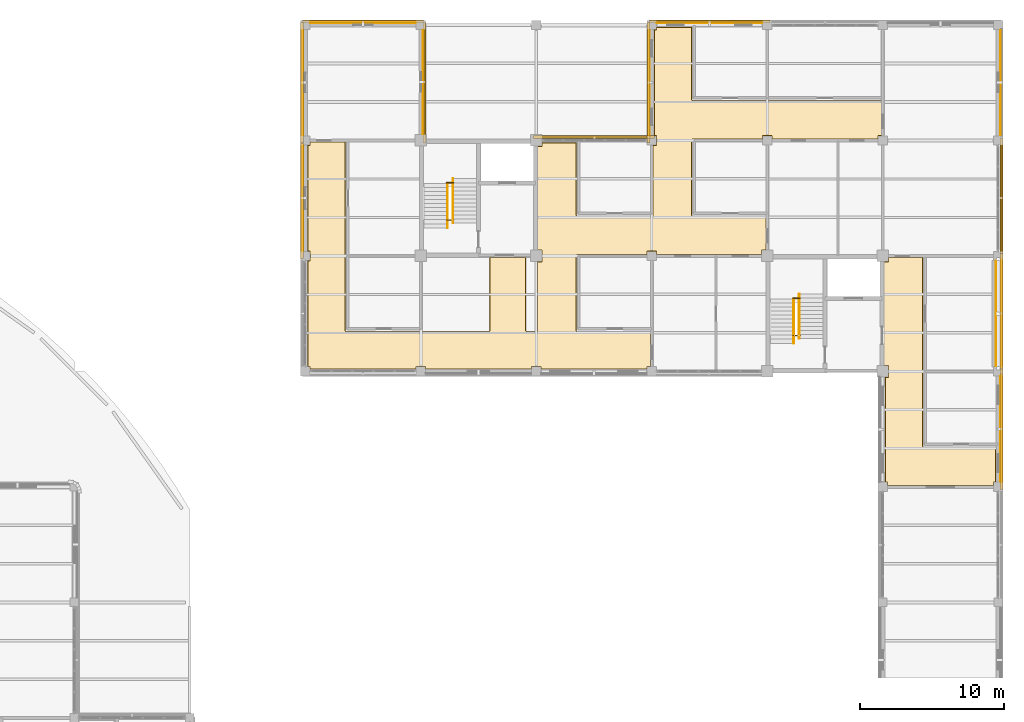
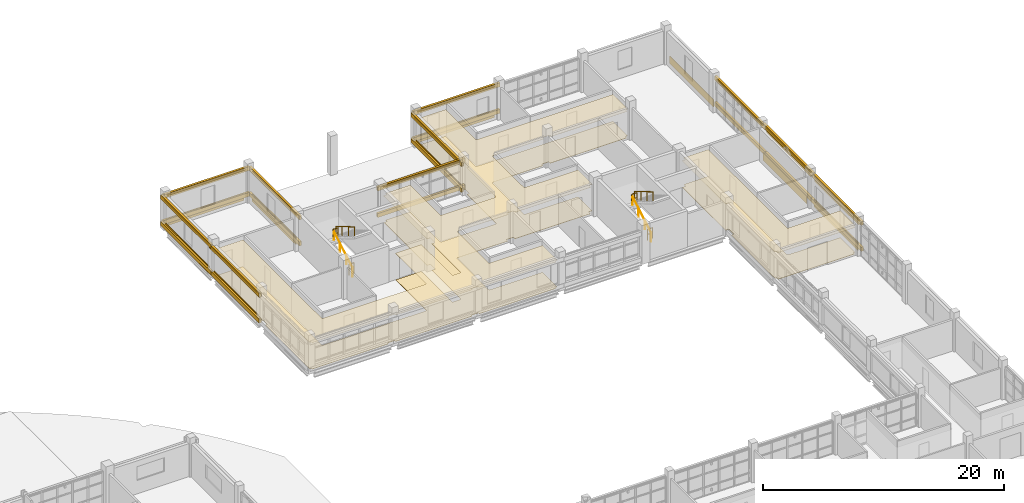
# One storey, part 124 of 126: 33 coverings, 12 shading devices, 8 railings.
"""IFC4 building model written with IfcOpenShell, lengths in metres."""

import ifcopenshell
import ifcopenshell.guid

model = None  # the IFC model being written
_history = None  # IfcOwnerHistory: only IFC2X3 demands one
_inside = {}  # id of a spatial element -> (the spatial element, [elements in it])
_under = {}  # id of a project, library or spatial element -> (it, [spatial elements below it])
_declared = {}  # id of a project -> (the project, [libraries it declares])
_typed = {}  # id of a type object -> (the type object, [elements of that type])
_made_of = {}  # id of a material, layer set ... -> (it, [elements and type objects made of it])


def new_model(schema):
    """Start an empty IFC model of exactly this schema.

    Asked for "IFC4X3", IfcOpenShell would pick the latest addendum, in which some entities
    have other attributes; the version numbers below select the first issue.
    IFC2X3 requires an IfcOwnerHistory on every rooted entity: one is made here for all.
    """
    global model, _history
    if schema == "IFC4X3":
        model = ifcopenshell.file(schema_version=(4, 3, 0, 0))
    else:
        model = ifcopenshell.file(schema=schema)
    _inside.clear()
    _under.clear()
    _declared.clear()
    _typed.clear()
    _made_of.clear()
    _history = None
    if model.schema == "IFC2X3":
        org = make("IfcOrganization", Name="unknown")
        user = make(
            "IfcPersonAndOrganization",
            ThePerson=make("IfcPerson", FamilyName="unknown"),
            TheOrganization=org,
        )
        app = make(
            "IfcApplication",
            ApplicationDeveloper=org,
            Version="unknown",
            ApplicationFullName="unknown",
            ApplicationIdentifier="unknown",
        )
        _history = make(
            "IfcOwnerHistory",
            OwningUser=user,
            OwningApplication=app,
            ChangeAction="ADDED",
            CreationDate=0,
        )
    return model


def make(cls, **values):
    """One entity of the class cls with the attributes given. An attribute that is None is left unset."""
    return model.create_entity(
        cls, **{name: value for name, value in values.items() if value is not None}
    )


def rooted(cls, **values):
    """An entity with a GlobalId (a new one), such as an element, a storey or a relation."""
    return make(cls, GlobalId=ifcopenshell.guid.new(), OwnerHistory=_history, **values)


def si_unit(unit_type, name, prefix=None):
    """IfcSIUnit, for example si_unit("LENGTHUNIT", "METRE", prefix="MILLI")."""
    return make("IfcSIUnit", UnitType=unit_type, Prefix=prefix, Name=name)


def derived_unit(unit_type, elements):
    """IfcDerivedUnit: a product of units, each with its exponent."""
    return make(
        "IfcDerivedUnit",
        Elements=[
            make("IfcDerivedUnitElement", Unit=unit, Exponent=power)
            for unit, power in elements
        ],
        UnitType=unit_type,
    )


def assignment(units):
    """IfcUnitAssignment: the units of a project."""
    return None if units is None else make("IfcUnitAssignment", Units=units)


def point(xyz):
    """IfcCartesianPoint."""
    return None if xyz is None else make("IfcCartesianPoint", Coordinates=xyz)


def direction(xyz):
    """IfcDirection."""
    return None if xyz is None else make("IfcDirection", DirectionRatios=xyz)


def frame(location, z_axis=None, x_axis=None):
    """IfcAxis2Placement3D, a coordinate frame: its origin and axes. An axis left out is left unset."""
    return make(
        "IfcAxis2Placement3D",
        Location=point(location),
        Axis=direction(z_axis),
        RefDirection=direction(x_axis),
    )


def frame_2d(location, x_axis=None):
    """IfcAxis2Placement2D, a coordinate frame in the plane: its origin and x axis."""
    return make(
        "IfcAxis2Placement2D", Location=point(location), RefDirection=direction(x_axis)
    )


def origin():
    """The frame at (0, 0, 0) with its axes left unset."""
    return frame((0.0, 0.0, 0.0))


def origin_2d():
    """The frame at (0, 0) in the plane with its x axis left unset."""
    return frame_2d((0.0, 0.0))


def place(relative_to, where):
    """IfcLocalPlacement: puts the frame where relative to a parent placement (None: the world)."""
    return make(
        "IfcLocalPlacement", PlacementRelTo=relative_to, RelativePlacement=where
    )


def context(
    kind, dimensions, precision=None, world=None, true_north=None, identifier=None
):
    """IfcGeometricRepresentationContext, for example the 3D "Model" context."""
    return make(
        "IfcGeometricRepresentationContext",
        ContextIdentifier=identifier,
        ContextType=kind,
        CoordinateSpaceDimension=dimensions,
        Precision=precision,
        WorldCoordinateSystem=world,
        TrueNorth=true_north,
    )


def subcontext(parent, identifier, kind, view, scale=None):
    """IfcGeometricRepresentationSubContext, for example "Body" below "Model"."""
    return make(
        "IfcGeometricRepresentationSubContext",
        ContextIdentifier=identifier,
        ContextType=kind,
        ParentContext=parent,
        TargetScale=scale,
        TargetView=view,
    )


def project(units=None, contexts=None):
    """IfcProject with its units and contexts."""
    return rooted(
        "IfcProject",
        Name="project",
        RepresentationContexts=contexts,
        UnitsInContext=assignment(units),
    )


def spatial(cls, under=None, at=None, **own):
    """A site, building, storey or space (cls), placed at a placement, below another one or the project."""
    s = rooted(cls, ObjectPlacement=at, **own)
    if under is not None:
        _under.setdefault(under.id(), (under, []))[1].append(s)
    return s


def polyline(points):
    """IfcPolyline through the points."""
    return make("IfcPolyline", Points=[point(p) for p in points])


def profile(cls, at=None, kind="AREA", **sizes):
    """A parametric profile (cls). Its sizes go by their IFC names, for example OverallWidth=200.0."""
    return make(cls, ProfileType=kind, Position=at, **sizes)


def rectangle(**sizes):
    """IfcRectangleProfileDef."""
    return profile("IfcRectangleProfileDef", **sizes)


def circle(**sizes):
    """IfcCircleProfileDef."""
    return profile("IfcCircleProfileDef", **sizes)


def outline(outer, holes=None, kind="AREA"):
    """IfcArbitraryClosedProfileDef: a profile drawn as a closed curve; with holes, ...WithVoids."""
    if holes is None:
        return make("IfcArbitraryClosedProfileDef", ProfileType=kind, OuterCurve=outer)
    return make(
        "IfcArbitraryProfileDefWithVoids",
        ProfileType=kind,
        OuterCurve=outer,
        InnerCurves=holes,
    )


def extrude(swept, where, along, depth):
    """IfcExtrudedAreaSolid: the profile swept, set in the frame where, extruded along a direction by depth."""
    return make(
        "IfcExtrudedAreaSolid",
        SweptArea=swept,
        Position=where,
        ExtrudedDirection=direction(along),
        Depth=depth,
    )


def shape(context_of_items, identifier, shape_type, items):
    """IfcShapeRepresentation: the items that make up one representation, for example the "Body"."""
    return make(
        "IfcShapeRepresentation",
        ContextOfItems=context_of_items,
        RepresentationIdentifier=identifier,
        RepresentationType=shape_type,
        Items=items,
    )


def material(Name=None, Category=None):
    """IfcMaterial."""
    return make("IfcMaterial", Name=Name, Category=Category)


def layer(
    of_material, thickness, ventilated=None, Name=None, Category=None, Priority=None
):
    """IfcMaterialLayer: one layer of a wall or slab, of a material (None: an air gap)."""
    return make(
        "IfcMaterialLayer",
        Material=of_material,
        LayerThickness=thickness,
        IsVentilated=ventilated,
        Name=Name,
        Category=Category,
        Priority=Priority,
    )


def layer_set(layers, Name=None):
    """IfcMaterialLayerSet."""
    return make("IfcMaterialLayerSet", MaterialLayers=layers, LayerSetName=Name)


def material_profile(
    of_material, cross_section, Name=None, Category=None, Priority=None
):
    """IfcMaterialProfile: a cross section and its material."""
    return make(
        "IfcMaterialProfile",
        Name=Name,
        Material=of_material,
        Profile=cross_section,
        Priority=Priority,
        Category=Category,
    )


def profile_set(profiles, Name=None, composite=None):
    """IfcMaterialProfileSet."""
    return make(
        "IfcMaterialProfileSet",
        Name=Name,
        MaterialProfiles=profiles,
        CompositeProfile=composite,
    )


def made_of(thing, what):
    """Note that an element or type object is made of a material, layer set ...; save() writes the relation."""
    if what is not None:
        _made_of.setdefault(what.id(), (what, []))[1].append(thing)
    return thing


def type_object(cls, material=None, **own):
    """A type object (cls), such as IfcWallType, which elements share."""
    return made_of(rooted(cls, **own), material)


def element(
    cls,
    number,
    at=None,
    inside=None,
    cuts=None,
    type_object=None,
    material=None,
    context=None,
    identifier="Body",
    shape_type=None,
    held_by="IfcProductDefinitionShape",
    body=None,
    shapes=None,
    **own,
):
    """One element of the class cls, such as IfcWall. Its Tag is "e" and its number.

    at: its placement. inside: the storey or other place that contains it. cuts: it is an
    opening in that element (IfcRelVoidsElement). A single representation is given by context,
    identifier, shape_type and body (its items); several are given by shapes. held_by: the class
    of the entity that holds the representations. save() writes the other relations.
    """
    e = rooted(cls, Tag="e%d" % number, ObjectPlacement=at, **own)
    if body is not None:
        shapes = [shape(context, identifier, shape_type, body)]
    if shapes is not None:
        e.Representation = make(held_by, Representations=shapes)
    if inside is not None:
        _inside.setdefault(inside.id(), (inside, []))[1].append(e)
    if cuts is not None:
        rooted(
            "IfcRelVoidsElement", RelatingBuildingElement=cuts, RelatedOpeningElement=e
        )
    if type_object is not None:
        _typed.setdefault(type_object.id(), (type_object, []))[1].append(e)
    return made_of(e, material)


def aggregate(whole, parts):
    """IfcRelAggregates: a whole, such as a stair, and the parts it consists of."""
    return rooted("IfcRelAggregates", RelatingObject=whole, RelatedObjects=parts)


def save(model, path):
    """Write the relations noted so far, then the file.

    IfcRelAggregates (storeys below a building ...), IfcRelContainedInSpatialStructure (elements
    in a storey), IfcRelDefinesByType, IfcRelAssociatesMaterial and IfcRelDeclares: one each for
    every whole, place, type object, material and project.
    """
    for whole, parts in _under.values():
        aggregate(whole, parts)
    for where, things in _inside.values():
        rooted(
            "IfcRelContainedInSpatialStructure",
            RelatedElements=things,
            RelatingStructure=where,
        )
    for kind, things in _typed.values():
        rooted("IfcRelDefinesByType", RelatedObjects=things, RelatingType=kind)
    for what, things in _made_of.values():
        rooted("IfcRelAssociatesMaterial", RelatedObjects=things, RelatingMaterial=what)
    for by, libraries in _declared.values():
        rooted("IfcRelDeclares", RelatingContext=by, RelatedDefinitions=libraries)
    model.write(path)


model = new_model("IFC4")

# Units and contexts
model_context = context("Model", 3, precision=1e-05, world=origin(), true_north=direction((0.0, 1.0)))
body_context = subcontext(model_context, "Body", "Model", "MODEL_VIEW")
ifc_project = project(units=[si_unit("LENGTHUNIT", "METRE"), si_unit("AREAUNIT", "SQUARE_METRE"), si_unit("VOLUMEUNIT", "CUBIC_METRE"), si_unit("PLANEANGLEUNIT", "RADIAN"), si_unit("MASSUNIT", "GRAM", prefix="KILO"), derived_unit("THERMALTRANSMITTANCEUNIT", [(si_unit("MASSUNIT", "GRAM", prefix="KILO"), 1), (si_unit("TIMEUNIT", "SECOND"), -3), (si_unit("THERMODYNAMICTEMPERATUREUNIT", "KELVIN"), -1)])], contexts=[model_context])

# Site, building, storey
site_placement = place(None, origin())
site = spatial("IfcSite", under=ifc_project, at=site_placement, CompositionType="ELEMENT")
building_placement = place(site_placement, origin())
building = spatial("IfcBuilding", under=site, at=building_placement, Name="Veyamyaing Civic Hall", CompositionType="ELEMENT")
storey_placement = place(building_placement, frame((0.0, 0.0, 9.89990234375)))
storey = spatial("IfcBuildingStorey", under=building, at=storey_placement, Name="L02", CompositionType="ELEMENT", Elevation=9.89990234375)

# Coverings
ifc_material_1 = material(Name="Buff sandstone ashlar cladding", Category="masonry")
ifc_layer_1 = layer(ifc_material_1, 0.050048828125, Name="Buff sandstone ashlar cladding")
ifc_layer_set_1 = layer_set([ifc_layer_1], Name="Buff sandstone ashlar cladding")
covering_type_1 = type_object("IfcCoveringType", Name="CL-01", PredefinedType="CLADDING", material=ifc_layer_set_1)
for number, where, z_axis, x_axis, name in (
    (1, (132.0, 112.160888671875, 0.045166015625), (0.0, 0.0, 1.0), (1.0, 0.0, 0.0), "Facade spandrel cladding CL-01 L02 N 17.14"),
    (2, (127.839111328125, 108.0, 0.045166015625), (0.0, 0.0, 1.0), (0.0, 1.0, 0.0), "Facade spandrel cladding CL-01 L02 W 17.14"),
):
    element("IfcCovering", number, at=place(storey_placement, frame(where, z_axis=z_axis, x_axis=x_axis)), inside=storey, type_object=covering_type_1, Name=name, PredefinedType="CLADDING", context=body_context, shape_type="SweptSolid", body=[
        extrude(rectangle(XDim=7.300048828125, YDim=0.050048828125, at=origin_2d()), origin(), (0.0, 0.0, 1.0), 0.75),
    ])
covering_1_placement = place(storey_placement, frame((136.160888671875, 108.03759765625, 0.045166015625), z_axis=(0.0, 0.0, 1.0), x_axis=(0.0, 1.0, 0.0)))
element("IfcCovering", 3, at=covering_1_placement, inside=storey, type_object=covering_type_1, Name="Facade spandrel cladding CL-01 L02 E 17.14", PredefinedType="CLADDING", context=body_context, shape_type="SweptSolid", body=[
    extrude(rectangle(XDim=7.22509765625, YDim=0.050048828125, at=origin_2d()), origin(), (0.0, 0.0, 1.0), 0.75),
])
covering_2_placement = place(storey_placement, frame((176.160888671875, 84.0, 0.045166015625), z_axis=(0.0, 0.0, 1.0), x_axis=(0.0, 1.0, 0.0)))
element("IfcCovering", 4, at=covering_2_placement, inside=storey, type_object=covering_type_1, Name="Facade spandrel cladding CL-01 L02 E 22.11", PredefinedType="CLADDING", context=body_context, shape_type="SweptSolid", body=[
    extrude(rectangle(XDim=7.300048828125, YDim=0.050048828125, at=origin_2d()), origin(), (0.0, 0.0, 1.0), 0.75),
])
ifc_material_2 = material(Name="Turquoise glazed ceramic tile cladding", Category="masonry")
ifc_layer_2 = layer(ifc_material_2, 0.034912109375, Name="Turquoise glazed ceramic tile cladding")
ifc_layer_set_2 = layer_set([ifc_layer_2], Name="Turquoise glazed ceramic tile cladding")
covering_type_2 = type_object("IfcCoveringType", Name="CL-02", PredefinedType="CLADDING", material=ifc_layer_set_2)
for number, where, z_axis, x_axis, name in (
    (5, (127.846435546875, 100.0, 0.045166015625), (0.0, 0.0, 1.0), (0.0, 1.0, 0.0), "Facade spandrel cladding CL-02 L02 W 17.13"),
    (6, (156.0, 112.153564453125, 0.045166015625), (0.0, 0.0, 1.0), (1.0, 0.0, 0.0), "Facade spandrel cladding CL-02 L02 N 20.14"),
    (7, (151.846435546875, 108.0, 0.045166015625), (0.0, 0.0, 1.0), (0.0, 1.0, 0.0), "Facade spandrel cladding CL-02 L02 W 20.14"),
    (8, (175.853515625, 92.0, 0.045166015625), (0.0, 0.0, 1.0), (0.0, 1.0, 0.0), "Facade spandrel cladding CL-02 L02 E 22.12"),
    (9, (176.153564453125, 108.0, 0.045166015625), (0.0, 0.0, 1.0), (0.0, 1.0, 0.0), "Facade spandrel cladding CL-02 L02 E 22.14"),
):
    element("IfcCovering", number, at=place(storey_placement, frame(where, z_axis=z_axis, x_axis=x_axis)), inside=storey, type_object=covering_type_2, Name=name, PredefinedType="CLADDING", context=body_context, shape_type="SweptSolid", body=[
        extrude(rectangle(XDim=7.300048828125, YDim=0.034912109375, at=origin_2d()), origin(), (0.0, 0.0, 1.0), 0.75),
    ])
ifc_material_3 = material(Name="White powder-coated aluminium 6063-T6", Category="aluminium")
ifc_layer_3 = layer(ifc_material_3, 0.2099609375, Name="White powder-coated aluminium 6063-T6")
ifc_layer_set_3 = layer_set([ifc_layer_3], Name="White powder-coated aluminium 6063-T6")
covering_type_3 = type_object("IfcCoveringType", Name="CL-03", PredefinedType="CLADDING", material=ifc_layer_set_3)
for number, where, z_axis, x_axis, name in (
    (10, (127.760009765625, 100.0, 2.904052734375), (0.0, 0.0, 1.0), (0.0, 1.0, 0.0), "Continuous white head fascia ribbon CL-03 L02 W 17.13"),
    (11, (127.760009765625, 100.0, 0.280029296875), (0.0, 0.0, 1.0), (0.0, 1.0, 0.0), "Continuous white sill fascia ribbon CL-03 L02 W 17.13"),
    (12, (132.0, 112.239990234375, 2.900146484375), (0.0, 0.0, 1.0), (1.0, 0.0, 0.0), "Continuous white head fascia ribbon CL-03 L02 N 17.14"),
    (13, (132.0, 112.239990234375, 0.280029296875), (0.0, 0.0, 1.0), (1.0, 0.0, 0.0), "Continuous white sill fascia ribbon CL-03 L02 N 17.14"),
    (14, (127.760009765625, 108.0, 2.967041015625), (0.0, 0.0, 1.0), (0.0, 1.0, 0.0), "Continuous white head fascia ribbon CL-03 L02 W 17.14"),
    (15, (127.760009765625, 108.0, 0.280029296875), (0.0, 0.0, 1.0), (0.0, 1.0, 0.0), "Continuous white sill fascia ribbon CL-03 L02 W 17.14"),
    (16, (136.239990234375, 108.0, 2.900146484375), (0.0, 0.0, 1.0), (0.0, 1.0, 0.0), "Continuous white head fascia ribbon CL-03 L02 E 17.14"),
    (17, (136.239990234375, 108.0, 0.280029296875), (0.0, 0.0, 1.0), (0.0, 1.0, 0.0), "Continuous white sill fascia ribbon CL-03 L02 E 17.14"),
    (18, (148.0, 104.239990234375, 2.964111328125), (0.0, 0.0, 1.0), (1.0, 0.0, 0.0), "Continuous white head fascia ribbon CL-03 L02 N 19.13"),
    (19, (148.0, 104.239990234375, 0.280029296875), (0.0, 0.0, 1.0), (1.0, 0.0, 0.0), "Continuous white sill fascia ribbon CL-03 L02 N 19.13"),
    (20, (156.0, 112.239990234375, 2.967041015625), (0.0, 0.0, 1.0), (1.0, 0.0, 0.0), "Continuous white head fascia ribbon CL-03 L02 N 20.14"),
    (21, (156.0, 112.239990234375, 0.280029296875), (0.0, 0.0, 1.0), (1.0, 0.0, 0.0), "Continuous white sill fascia ribbon CL-03 L02 N 20.14"),
    (22, (151.760009765625, 108.0, 2.904052734375), (0.0, 0.0, 1.0), (0.0, 1.0, 0.0), "Continuous white head fascia ribbon CL-03 L02 W 20.14"),
    (23, (151.760009765625, 108.0, 0.280029296875), (0.0, 0.0, 1.0), (0.0, 1.0, 0.0), "Continuous white sill fascia ribbon CL-03 L02 W 20.14"),
    (24, (176.239990234375, 84.0, 2.904052734375), (0.0, 0.0, 1.0), (0.0, 1.0, 0.0), "Continuous white head fascia ribbon CL-03 L02 E 22.11"),
    (25, (176.239990234375, 84.0, 0.280029296875), (0.0, 0.0, 1.0), (0.0, 1.0, 0.0), "Continuous white sill fascia ribbon CL-03 L02 E 22.11"),
    (26, (176.239990234375, 92.0, 2.967041015625), (0.0, 0.0, 1.0), (0.0, 1.0, 0.0), "Continuous white head fascia ribbon CL-03 L02 E 22.12"),
    (27, (176.239990234375, 92.0, 0.280029296875), (0.0, 0.0, 1.0), (0.0, 1.0, 0.0), "Continuous white sill fascia ribbon CL-03 L02 E 22.12"),
    (28, (176.239990234375, 100.0, 2.900146484375), (0.0, 0.0, 1.0), (0.0, 1.0, 0.0), "Continuous white head fascia ribbon CL-03 L02 E 22.13"),
    (29, (176.239990234375, 100.0, 0.280029296875), (0.0, 0.0, 1.0), (0.0, 1.0, 0.0), "Continuous white sill fascia ribbon CL-03 L02 E 22.13"),
):
    element("IfcCovering", number, at=place(storey_placement, frame(where, z_axis=z_axis, x_axis=x_axis)), inside=storey, type_object=covering_type_3, Name=name, PredefinedType="CLADDING", context=body_context, shape_type="SweptSolid", body=[
        extrude(rectangle(XDim=8.360107421875, YDim=0.2099609375, at=origin_2d()), origin(), (0.0, 0.0, 1.0), 0.39990234375),
    ])
ifc_material_4 = material(Name="Perforated acoustic gypsum ceiling board")
ifc_layer_4 = layer(ifc_material_4, 0.02490234375, Name="Perforated acoustic gypsum ceiling board")
ifc_layer_set_4 = layer_set([ifc_layer_4], Name="Perforated acoustic gypsum ceiling board")
covering_type_4 = type_object("IfcCoveringType", Name="CLG-01", PredefinedType="CEILING", material=ifc_layer_set_4)
covering_3_placement = place(storey_placement, frame((0.0, 0.0, 2.7001953125)))
element("IfcCovering", 30, at=covering_3_placement, inside=storey, type_object=covering_type_4, Name="Acoustic suspended ceiling CLG-01 L02-C07", PredefinedType="CEILING", context=body_context, shape_type="SweptSolid", body=[
    extrude(outline(polyline([(130.7841796875, 90.81494140625), (130.802734375, 90.79248046875), (130.8291015625, 90.7783203125), (130.851806640625, 90.77490234375), (140.697509765625, 90.77490234375), (140.729248046875, 90.78125), (140.747314453125, 90.792236328125), (140.76220703125, 90.80859375), (140.771484375, 90.828369140625), (140.77490234375, 90.851806640625), (140.77490234375, 95.925048828125), (143.27490234375, 95.925048828125), (143.27685546875, 90.8349609375), (143.283935546875, 90.8154296875), (143.30322265625, 90.7919921875), (143.3212890625, 90.781005859375), (143.34326171875, 90.775390625), (143.99755859375, 90.77490234375), (144.028564453125, 90.78125), (144.052734375, 90.79736328125), (144.06884765625, 90.821533203125), (144.074951171875, 90.8525390625), (144.074951171875, 95.614990234375), (144.385009765625, 95.614990234375), (144.385009765625, 96.385009765625), (144.074951171875, 96.385009765625), (144.074951171875, 103.614990234375), (144.385009765625, 103.614990234375), (144.385009765625, 103.844970703125), (146.77490234375, 103.844970703125), (146.77490234375, 98.851318359375), (146.776611328125, 98.8359375), (146.7841796875, 98.814208984375), (146.791748046875, 98.802978515625), (146.80859375, 98.787841796875), (146.828369140625, 98.778564453125), (146.851806640625, 98.77490234375), (151.99755859375, 98.77490234375), (152.028564453125, 98.78125), (152.052734375, 98.79736328125), (152.06884765625, 98.821533203125), (152.074951171875, 98.8525390625), (152.074951171875, 103.68994140625), (152.31005859375, 103.68994140625), (152.31005859375, 104.31005859375), (152.155029296875, 104.31005859375), (152.155029296875, 111.68994140625), (152.31005859375, 111.68994140625), (152.31005859375, 111.844970703125), (154.77490234375, 111.844970703125), (154.77490234375, 106.851806640625), (154.778564453125, 106.828369140625), (154.78759765625, 106.80908203125), (154.80908203125, 106.78759765625), (154.828369140625, 106.778564453125), (154.851806640625, 106.77490234375), (167.925048828125, 106.77490234375), (167.925048828125, 104.31005859375), (167.68994140625, 104.31005859375), (167.68994140625, 104.074951171875), (160.31005859375, 104.074951171875), (160.31005859375, 104.31005859375), (159.68994140625, 104.31005859375), (159.68994140625, 104.074951171875), (154.851806640625, 104.074951171875), (154.82763671875, 104.0712890625), (154.81591796875, 104.06640625), (154.79248046875, 104.047119140625), (154.7783203125, 104.02099609375), (154.77490234375, 103.998291015625), (154.77490234375, 98.851806640625), (154.778564453125, 98.828369140625), (154.787841796875, 98.80859375), (154.802978515625, 98.791748046875), (154.814697265625, 98.783935546875), (154.82763671875, 98.778564453125), (154.851806640625, 98.77490234375), (159.925048828125, 98.77490234375), (159.925048828125, 96.385009765625), (159.614990234375, 96.385009765625), (159.614990234375, 96.074951171875), (152.31005859375, 96.074951171875), (152.31005859375, 96.31005859375), (151.68994140625, 96.31005859375), (151.68994140625, 96.074951171875), (146.851806640625, 96.074951171875), (146.82763671875, 96.0712890625), (146.81591796875, 96.06640625), (146.79248046875, 96.047119140625), (146.7783203125, 96.02099609375), (146.77490234375, 95.998291015625), (146.77490234375, 90.851806640625), (146.778564453125, 90.828369140625), (146.787841796875, 90.80859375), (146.802978515625, 90.791748046875), (146.814697265625, 90.783935546875), (146.82763671875, 90.778564453125), (146.851806640625, 90.77490234375), (151.925048828125, 90.77490234375), (151.925048828125, 88.31005859375), (151.68994140625, 88.31005859375), (151.68994140625, 88.155029296875), (144.31005859375, 88.155029296875), (144.31005859375, 88.31005859375), (143.68994140625, 88.31005859375), (143.68994140625, 88.155029296875), (136.31005859375, 88.155029296875), (136.31005859375, 88.31005859375), (135.68994140625, 88.31005859375), (135.68994140625, 88.155029296875), (128.31005859375, 88.155029296875), (128.31005859375, 88.31005859375), (128.155029296875, 88.31005859375), (128.155029296875, 95.68994140625), (128.31005859375, 95.68994140625), (128.31005859375, 96.31005859375), (128.155029296875, 96.31005859375), (128.155029296875, 103.68994140625), (128.31005859375, 103.68994140625), (128.31005859375, 103.925048828125), (130.77490234375, 103.925048828125), (130.775390625, 90.843994140625), (130.7841796875, 90.81494140625)])), origin(), (0.0, 0.0, 1.0), 0.02490234375),
])
covering_4_placement = place(storey_placement, frame((0.0, 0.0, 2.7001953125)))
element("IfcCovering", 31, at=covering_4_placement, inside=storey, type_object=covering_type_4, Name="Acoustic suspended ceiling CLG-01 L02-C08", PredefinedType="CEILING", context=body_context, shape_type="SweptSolid", body=[
    extrude(outline(polyline([(170.7841796875, 82.81494140625), (170.802734375, 82.79248046875), (170.8291015625, 82.7783203125), (170.851806640625, 82.77490234375), (175.844970703125, 82.77490234375), (175.844970703125, 80.31005859375), (175.68994140625, 80.31005859375), (175.68994140625, 80.074951171875), (168.31005859375, 80.074951171875), (168.31005859375, 80.31005859375), (168.155029296875, 80.31005859375), (168.155029296875, 87.614990234375), (168.385009765625, 87.614990234375), (168.385009765625, 88.385009765625), (168.074951171875, 88.385009765625), (168.074951171875, 95.614990234375), (168.385009765625, 95.614990234375), (168.385009765625, 95.925048828125), (170.77490234375, 95.925048828125), (170.775390625, 82.843994140625), (170.7841796875, 82.81494140625)])), origin(), (0.0, 0.0, 1.0), 0.02490234375),
])
ifc_material_5 = material(Name="Polished Mandalay marble and terrazzo flooring", Category="masonry")
ifc_layer_5 = layer(ifc_material_5, 0.030029296875, Name="Polished Mandalay marble and terrazzo flooring")
ifc_layer_set_5 = layer_set([ifc_layer_5], Name="Polished Mandalay marble and terrazzo flooring")
covering_type_5 = type_object("IfcCoveringType", Name="FLR-01", PredefinedType="FLOORING", material=ifc_layer_set_5)
covering_5_placement = place(storey_placement, origin())
element("IfcCovering", 32, at=covering_5_placement, inside=storey, type_object=covering_type_5, Name="Stone and terrazzo flooring FLR-01 L02-C07", PredefinedType="FLOORING", context=body_context, shape_type="SweptSolid", body=[
    extrude(outline(polyline([(130.76171875, 90.802978515625), (130.78662109375, 90.772705078125), (130.821044921875, 90.75439453125), (130.85009765625, 90.75), (140.699951171875, 90.75), (140.73828125, 90.757568359375), (140.763427734375, 90.772705078125), (140.783203125, 90.79443359375), (140.795654296875, 90.821044921875), (140.800048828125, 90.85009765625), (140.800048828125, 95.89990234375), (143.25, 95.89990234375), (143.251953125, 90.83056640625), (143.26171875, 90.802978515625), (143.28662109375, 90.772705078125), (143.311767578125, 90.757568359375), (143.340087890625, 90.75048828125), (144.0, 90.75), (144.038330078125, 90.757568359375), (144.07080078125, 90.779296875), (144.09228515625, 90.811767578125), (144.10009765625, 90.85009765625), (144.10009765625, 95.590087890625), (144.409912109375, 95.590087890625), (144.409912109375, 96.409912109375), (144.10009765625, 96.409912109375), (144.10009765625, 103.590087890625), (144.409912109375, 103.590087890625), (144.409912109375, 103.820068359375), (146.75, 103.820068359375), (146.75, 98.85009765625), (146.751953125, 98.83056640625), (146.76171875, 98.802978515625), (146.772705078125, 98.78662109375), (146.79443359375, 98.766845703125), (146.821044921875, 98.75439453125), (146.85009765625, 98.75), (152.0, 98.75), (152.038330078125, 98.757568359375), (152.07080078125, 98.779296875), (152.09228515625, 98.811767578125), (152.10009765625, 98.85009765625), (152.10009765625, 103.6650390625), (152.3349609375, 103.6650390625), (152.3349609375, 104.3349609375), (152.179931640625, 104.3349609375), (152.179931640625, 111.6650390625), (152.3349609375, 111.6650390625), (152.3349609375, 111.820068359375), (154.75, 111.820068359375), (154.75, 106.85009765625), (154.75439453125, 106.821044921875), (154.766845703125, 106.79443359375), (154.79443359375, 106.766845703125), (154.821044921875, 106.75439453125), (154.85009765625, 106.75), (167.89990234375, 106.75), (167.89990234375, 104.3349609375), (167.6650390625, 104.3349609375), (167.6650390625, 104.10009765625), (160.3349609375, 104.10009765625), (160.3349609375, 104.3349609375), (159.6650390625, 104.3349609375), (159.6650390625, 104.10009765625), (154.85009765625, 104.10009765625), (154.821044921875, 104.095703125), (154.802978515625, 104.088134765625), (154.772705078125, 104.0634765625), (154.75439453125, 104.029052734375), (154.75, 104.0), (154.75, 98.85009765625), (154.75439453125, 98.821044921875), (154.766845703125, 98.79443359375), (154.78662109375, 98.772705078125), (154.802978515625, 98.76171875), (154.821044921875, 98.75439453125), (154.85009765625, 98.75), (159.89990234375, 98.75), (159.89990234375, 96.409912109375), (159.590087890625, 96.409912109375), (159.590087890625, 96.10009765625), (152.3349609375, 96.10009765625), (152.3349609375, 96.3349609375), (151.6650390625, 96.3349609375), (151.6650390625, 96.10009765625), (146.85009765625, 96.10009765625), (146.821044921875, 96.095703125), (146.802978515625, 96.088134765625), (146.772705078125, 96.0634765625), (146.75439453125, 96.029052734375), (146.75, 96.0), (146.75, 90.85009765625), (146.75439453125, 90.821044921875), (146.766845703125, 90.79443359375), (146.78662109375, 90.772705078125), (146.802978515625, 90.76171875), (146.821044921875, 90.75439453125), (146.85009765625, 90.75), (151.89990234375, 90.75), (151.89990234375, 88.3349609375), (151.6650390625, 88.3349609375), (151.6650390625, 88.179931640625), (144.3349609375, 88.179931640625), (144.3349609375, 88.3349609375), (143.6650390625, 88.3349609375), (143.6650390625, 88.179931640625), (136.3349609375, 88.179931640625), (136.3349609375, 88.3349609375), (135.6650390625, 88.3349609375), (135.6650390625, 88.179931640625), (128.3349609375, 88.179931640625), (128.3349609375, 88.3349609375), (128.179931640625, 88.3349609375), (128.179931640625, 95.6650390625), (128.3349609375, 95.6650390625), (128.3349609375, 96.3349609375), (128.179931640625, 96.3349609375), (128.179931640625, 103.6650390625), (128.3349609375, 103.6650390625), (128.3349609375, 103.89990234375), (130.75, 103.89990234375), (130.75048828125, 90.840087890625), (130.76171875, 90.802978515625)])), origin(), (0.0, 0.0, 1.0), 0.030029296875),
])
covering_6_placement = place(storey_placement, origin())
element("IfcCovering", 33, at=covering_6_placement, inside=storey, type_object=covering_type_5, Name="Stone and terrazzo flooring FLR-01 L02-C08", PredefinedType="FLOORING", context=body_context, shape_type="SweptSolid", body=[
    extrude(outline(polyline([(170.76171875, 82.802978515625), (170.78662109375, 82.772705078125), (170.821044921875, 82.75439453125), (170.85009765625, 82.75), (175.820068359375, 82.75), (175.820068359375, 80.3349609375), (175.6650390625, 80.3349609375), (175.6650390625, 80.10009765625), (168.3349609375, 80.10009765625), (168.3349609375, 80.3349609375), (168.179931640625, 80.3349609375), (168.179931640625, 87.590087890625), (168.409912109375, 87.590087890625), (168.409912109375, 88.409912109375), (168.10009765625, 88.409912109375), (168.10009765625, 95.590087890625), (168.409912109375, 95.590087890625), (168.409912109375, 95.89990234375), (170.75, 95.89990234375), (170.75048828125, 82.840087890625), (170.76171875, 82.802978515625)])), origin(), (0.0, 0.0, 1.0), 0.030029296875),
])

# Shading devices
ifc_material_6 = material(Name="Anodised aluminium 6063-T6", Category="aluminium")
ifc_material_profile_1 = material_profile(ifc_material_6, rectangle(XDim=0.050048828125, YDim=0.25, at=origin_2d()), Name="LOUVRE-BLADE-50X250")
ifc_profile_set_1 = profile_set([ifc_material_profile_1], Name="Anodised aluminium 6063-T6")
shading_device_type_1 = type_object("IfcShadingDeviceType", Name="LV-01", PredefinedType="JALOUSIE", material=ifc_profile_set_1)
for number, where, z_axis, x_axis, name in (
    (34, (176.219970703125, 80.31005859375, 2.734130859375), (0.0, 1.0, 0.0), (-1.0, 0.0, 0.0), "Monsoon solar louvre LV-01 L02 E 22.11"),
    (35, (176.219970703125, 88.31005859375, 2.797119140625), (0.0, 1.0, 0.0), (-1.0, 0.0, 0.0), "Monsoon solar louvre LV-01 L02 E 22.12"),
):
    element("IfcShadingDevice", number, at=place(storey_placement, frame(where, z_axis=z_axis, x_axis=x_axis)), inside=storey, type_object=shading_device_type_1, Name=name, PredefinedType="JALOUSIE", context=body_context, shape_type="SweptSolid", body=[
        extrude(rectangle(XDim=0.050048828125, YDim=0.25, at=origin_2d()), origin(), (0.0, 0.0, 1.0), 7.3798828125),
    ])

# Railings
ifc_material_7 = material(Name="Steel S355J2", Category="steel")
railing_type_1 = type_object("IfcRailingType", Name="RL-01", PredefinedType="BALUSTRADE", material=ifc_material_7)
railing_1_placement = place(storey_placement, frame((161.780029296875, 93.070068359375, 1.97998046875)))
element("IfcRailing", 36, at=railing_1_placement, inside=storey, type_object=railing_type_1, Name="Half-landing slot guard RL-01 ST-03 L02", PredefinedType="BALUSTRADE", context=body_context, shape_type="SweptSolid", body=[
    extrude(circle(Radius=0.02392578125, at=origin_2d()), frame((0.0, 0.0, 1.076171875), z_axis=(1.0, 0.0, 0.0), x_axis=(0.0, 1.0, 0.0)), (0.0, 0.0, 1.0), 0.489990234375),
    extrude(circle(Radius=0.01416015625, at=origin_2d()), frame((0.0, 0.0, 0.572021484375), z_axis=(1.0, 0.0, 0.0), x_axis=(0.0, 1.0, 0.0)), (0.0, 0.0, 1.0), 0.489990234375),
    extrude(circle(Radius=0.02099609375, at=origin_2d()), origin(), (0.0, 0.0, 1.0), 1.052001953125),
    extrude(circle(Radius=0.02099609375, at=origin_2d()), frame((0.489990234375, 0.0, 0.0)), (0.0, 0.0, 1.0), 1.052001953125),
])
railing_2_placement = place(storey_placement, frame((161.800048828125, 90.47998046875, 0.0)))
element("IfcRailing", 37, at=railing_2_placement, inside=storey, type_object=railing_type_1, Name="Floor-landing slot guard RL-01 ST-03 L02", PredefinedType="BALUSTRADE", context=body_context, shape_type="SweptSolid", body=[
    extrude(circle(Radius=0.02392578125, at=origin_2d()), frame((0.0, 0.0, 1.076171875), z_axis=(1.0, 0.0, 0.0), x_axis=(0.0, 1.0, 0.0)), (0.0, 0.0, 1.0), 0.469970703125),
    extrude(circle(Radius=0.01416015625, at=origin_2d()), frame((0.0, 0.0, 0.572021484375), z_axis=(1.0, 0.0, 0.0), x_axis=(0.0, 1.0, 0.0)), (0.0, 0.0, 1.0), 0.469970703125),
    extrude(circle(Radius=0.02099609375, at=origin_2d()), origin(), (0.0, 0.0, 1.0), 1.052001953125),
    extrude(circle(Radius=0.02099609375, at=origin_2d()), frame((0.469970703125, 0.0, 0.0)), (0.0, 0.0, 1.0), 1.052001953125),
])
railing_3_placement = place(storey_placement, frame((137.780029296875, 101.070068359375, 1.97998046875)))
element("IfcRailing", 38, at=railing_3_placement, inside=storey, type_object=railing_type_1, Name="Half-landing slot guard RL-01 ST-04 L02", PredefinedType="BALUSTRADE", context=body_context, shape_type="SweptSolid", body=[
    extrude(circle(Radius=0.02392578125, at=origin_2d()), frame((0.0, 0.0, 1.076171875), z_axis=(1.0, 0.0, 0.0), x_axis=(0.0, 1.0, 0.0)), (0.0, 0.0, 1.0), 0.489990234375),
    extrude(circle(Radius=0.01416015625, at=origin_2d()), frame((0.0, 0.0, 0.572021484375), z_axis=(1.0, 0.0, 0.0), x_axis=(0.0, 1.0, 0.0)), (0.0, 0.0, 1.0), 0.489990234375),
    extrude(circle(Radius=0.02099609375, at=origin_2d()), origin(), (0.0, 0.0, 1.0), 1.052001953125),
    extrude(circle(Radius=0.02099609375, at=origin_2d()), frame((0.489990234375, 0.0, 0.0)), (0.0, 0.0, 1.0), 1.052001953125),
])
railing_4_placement = place(storey_placement, frame((137.800048828125, 98.47998046875, 0.0)))
element("IfcRailing", 39, at=railing_4_placement, inside=storey, type_object=railing_type_1, Name="Floor-landing slot guard RL-01 ST-04 L02", PredefinedType="BALUSTRADE", context=body_context, shape_type="SweptSolid", body=[
    extrude(circle(Radius=0.02392578125, at=origin_2d()), frame((0.0, 0.0, 1.076171875), z_axis=(1.0, 0.0, 0.0), x_axis=(0.0, 1.0, 0.0)), (0.0, 0.0, 1.0), 0.469970703125),
    extrude(circle(Radius=0.01416015625, at=origin_2d()), frame((0.0, 0.0, 0.572021484375), z_axis=(1.0, 0.0, 0.0), x_axis=(0.0, 1.0, 0.0)), (0.0, 0.0, 1.0), 0.469970703125),
    extrude(circle(Radius=0.02099609375, at=origin_2d()), origin(), (0.0, 0.0, 1.0), 1.052001953125),
    extrude(circle(Radius=0.02099609375, at=origin_2d()), frame((0.469970703125, 0.0, 0.0)), (0.0, 0.0, 1.0), 1.052001953125),
])
railing_type_2 = type_object("IfcRailingType", Name="RL-02", PredefinedType="HANDRAIL", material=ifc_material_7)
railing_5_placement = place(storey_placement, frame((161.840087890625, 89.949951171875, 0.1650390625)))
element("IfcRailing", 40, at=railing_5_placement, inside=storey, type_object=railing_type_2, Name="Stair pitch handrail RL-02 ST-03 L02.1", PredefinedType="HANDRAIL", context=body_context, shape_type="SweptSolid", body=[
    extrude(circle(Radius=0.02392578125, at=origin_2d()), frame((0.0, 0.0, 0.89599609375), z_axis=(0.0, 0.861551262678, 0.507670583921), x_axis=(-1.0, 0.0, 0.0)), (0.0, 0.0, 1.0), 3.574951171875),
    extrude(circle(Radius=0.02099609375, at=origin_2d()), origin(), (0.0, 0.0, 1.0), 0.871826171875),
    extrude(circle(Radius=0.02099609375, at=origin_2d()), frame((0.0, 1.026611328125, 0.60498046875)), (0.0, 0.0, 1.0), 0.871826171875),
    extrude(circle(Radius=0.02099609375, at=origin_2d()), frame((0.0, 2.053466796875, 1.2099609375)), (0.0, 0.0, 1.0), 0.871826171875),
    extrude(circle(Radius=0.02099609375, at=origin_2d()), frame((0.0, 3.080078125, 1.81494140625)), (0.0, 0.0, 1.0), 0.871826171875),
])
railing_6_placement = place(storey_placement, frame((162.219970703125, 93.35009765625, 2.14501953125)))
element("IfcRailing", 41, at=railing_6_placement, inside=storey, type_object=railing_type_2, Name="Stair pitch handrail RL-02 ST-03 L02.2", PredefinedType="HANDRAIL", context=body_context, shape_type="SweptSolid", body=[
    extrude(circle(Radius=0.02392578125, at=origin_2d()), frame((0.0, 0.0, 0.89599609375), z_axis=(0.0, -0.861521393093, 0.507721271215), x_axis=(1.0, 0.0, 0.0)), (0.0, 0.0, 1.0), 3.5751953125),
    extrude(circle(Radius=0.02099609375, at=origin_2d()), origin(), (0.0, 0.0, 1.0), 0.871826171875),
    extrude(circle(Radius=0.02099609375, at=origin_2d()), frame((0.0, -1.026611328125, 0.60498046875)), (0.0, 0.0, 1.0), 0.871826171875),
    extrude(circle(Radius=0.02099609375, at=origin_2d()), frame((0.0, -2.053466796875, 1.210205078125)), (0.0, 0.0, 1.0), 0.871826171875),
    extrude(circle(Radius=0.02099609375, at=origin_2d()), frame((0.0, -3.080078125, 1.815185546875)), (0.0, 0.0, 1.0), 0.871826171875),
])
railing_7_placement = place(storey_placement, frame((137.840087890625, 97.949951171875, 0.1650390625)))
element("IfcRailing", 42, at=railing_7_placement, inside=storey, type_object=railing_type_2, Name="Stair pitch handrail RL-02 ST-04 L02.1", PredefinedType="HANDRAIL", context=body_context, shape_type="SweptSolid", body=[
    extrude(circle(Radius=0.02392578125, at=origin_2d()), frame((0.0, 0.0, 0.89599609375), z_axis=(0.0, 0.861551262678, 0.507670583921), x_axis=(-1.0, 0.0, 0.0)), (0.0, 0.0, 1.0), 3.574951171875),
    extrude(circle(Radius=0.02099609375, at=origin_2d()), origin(), (0.0, 0.0, 1.0), 0.871826171875),
    extrude(circle(Radius=0.02099609375, at=origin_2d()), frame((0.0, 1.026611328125, 0.60498046875)), (0.0, 0.0, 1.0), 0.871826171875),
    extrude(circle(Radius=0.02099609375, at=origin_2d()), frame((0.0, 2.053466796875, 1.2099609375)), (0.0, 0.0, 1.0), 0.871826171875),
    extrude(circle(Radius=0.02099609375, at=origin_2d()), frame((0.0, 3.080078125, 1.81494140625)), (0.0, 0.0, 1.0), 0.871826171875),
])
railing_8_placement = place(storey_placement, frame((138.219970703125, 101.35009765625, 2.14501953125)))
element("IfcRailing", 43, at=railing_8_placement, inside=storey, type_object=railing_type_2, Name="Stair pitch handrail RL-02 ST-04 L02.2", PredefinedType="HANDRAIL", context=body_context, shape_type="SweptSolid", body=[
    extrude(circle(Radius=0.02392578125, at=origin_2d()), frame((0.0, 0.0, 0.89599609375), z_axis=(0.0, -0.861521393093, 0.507721271215), x_axis=(1.0, 0.0, 0.0)), (0.0, 0.0, 1.0), 3.5751953125),
    extrude(circle(Radius=0.02099609375, at=origin_2d()), origin(), (0.0, 0.0, 1.0), 0.871826171875),
    extrude(circle(Radius=0.02099609375, at=origin_2d()), frame((0.0, -1.026611328125, 0.60498046875)), (0.0, 0.0, 1.0), 0.871826171875),
    extrude(circle(Radius=0.02099609375, at=origin_2d()), frame((0.0, -2.053466796875, 1.210205078125)), (0.0, 0.0, 1.0), 0.871826171875),
    extrude(circle(Radius=0.02099609375, at=origin_2d()), frame((0.0, -3.080078125, 1.815185546875)), (0.0, 0.0, 1.0), 0.871826171875),
])

# Shading devices
ifc_material_profile_2 = material_profile(ifc_material_3, circle(Radius=0.090087890625, at=origin_2d()), Name="SHADE-TUBE-180")
ifc_profile_set_2 = profile_set([ifc_material_profile_2], Name="White powder-coated aluminium 6063-T6")
shading_device_type_2 = type_object("IfcShadingDeviceType", Name="SH-02", PredefinedType="USERDEFINED", material=ifc_profile_set_2)
for number, where, z_axis, x_axis, name in (
    (44, (127.760009765625, 96.31005859375, 3.064208984375), (0.0, 1.0, 0.0), (-1.0, 0.0, 0.0), "Horizontal white sunshade ribbon SH-02 L02 W 17.13"),
    (45, (128.31005859375, 112.239990234375, 3.06005859375), (1.0, 0.0, 0.0), (0.0, 1.0, 0.0), "Horizontal white sunshade ribbon SH-02 L02 N 17.14"),
    (46, (127.760009765625, 104.31005859375, 3.127197265625), (0.0, 1.0, 0.0), (-1.0, 0.0, 0.0), "Horizontal white sunshade ribbon SH-02 L02 W 17.14"),
):
    element("IfcShadingDevice", number, at=place(storey_placement, frame(where, z_axis=z_axis, x_axis=x_axis)), inside=storey, type_object=shading_device_type_2, Name=name, ObjectType="SUNSHADE", PredefinedType="USERDEFINED", context=body_context, shape_type="SweptSolid", body=[
        extrude(circle(Radius=0.090087890625, at=origin_2d()), origin(), (0.0, 0.0, 1.0), 7.3798828125),
    ])
for number, where, z_axis, x_axis, name in (
    (47, (136.239990234375, 104.385009765625, 3.06005859375), (0.0, 1.0, 0.0), (-1.0, 0.0, 0.0), "Horizontal white sunshade ribbon SH-02 L02 E 17.14"),
    (48, (144.385009765625, 104.239990234375, 3.1240234375), (1.0, 0.0, 0.0), (0.0, 1.0, 0.0), "Horizontal white sunshade ribbon SH-02 L02 N 19.13"),
):
    element("IfcShadingDevice", number, at=place(storey_placement, frame(where, z_axis=z_axis, x_axis=x_axis)), inside=storey, type_object=shading_device_type_2, Name=name, ObjectType="SUNSHADE", PredefinedType="USERDEFINED", context=body_context, shape_type="SweptSolid", body=[
        extrude(circle(Radius=0.090087890625, at=origin_2d()), origin(), (0.0, 0.0, 1.0), 7.304931640625),
    ])
for number, where, z_axis, x_axis, name in (
    (49, (152.31005859375, 112.239990234375, 3.127197265625), (1.0, 0.0, 0.0), (0.0, 1.0, 0.0), "Horizontal white sunshade ribbon SH-02 L02 N 20.14"),
    (50, (151.760009765625, 104.31005859375, 3.064208984375), (0.0, 1.0, 0.0), (-1.0, 0.0, 0.0), "Horizontal white sunshade ribbon SH-02 L02 W 20.14"),
    (51, (176.239990234375, 80.31005859375, 3.064208984375), (0.0, 1.0, 0.0), (-1.0, 0.0, 0.0), "Horizontal white sunshade ribbon SH-02 L02 E 22.11"),
    (52, (176.239990234375, 88.31005859375, 3.127197265625), (0.0, 1.0, 0.0), (-1.0, 0.0, 0.0), "Horizontal white sunshade ribbon SH-02 L02 E 22.12"),
    (53, (176.239990234375, 96.31005859375, 3.06005859375), (0.0, 1.0, 0.0), (-1.0, 0.0, 0.0), "Horizontal white sunshade ribbon SH-02 L02 E 22.13"),
):
    element("IfcShadingDevice", number, at=place(storey_placement, frame(where, z_axis=z_axis, x_axis=x_axis)), inside=storey, type_object=shading_device_type_2, Name=name, ObjectType="SUNSHADE", PredefinedType="USERDEFINED", context=body_context, shape_type="SweptSolid", body=[
        extrude(circle(Radius=0.090087890625, at=origin_2d()), origin(), (0.0, 0.0, 1.0), 7.3798828125),
    ])

save(model, "model.ifc")
